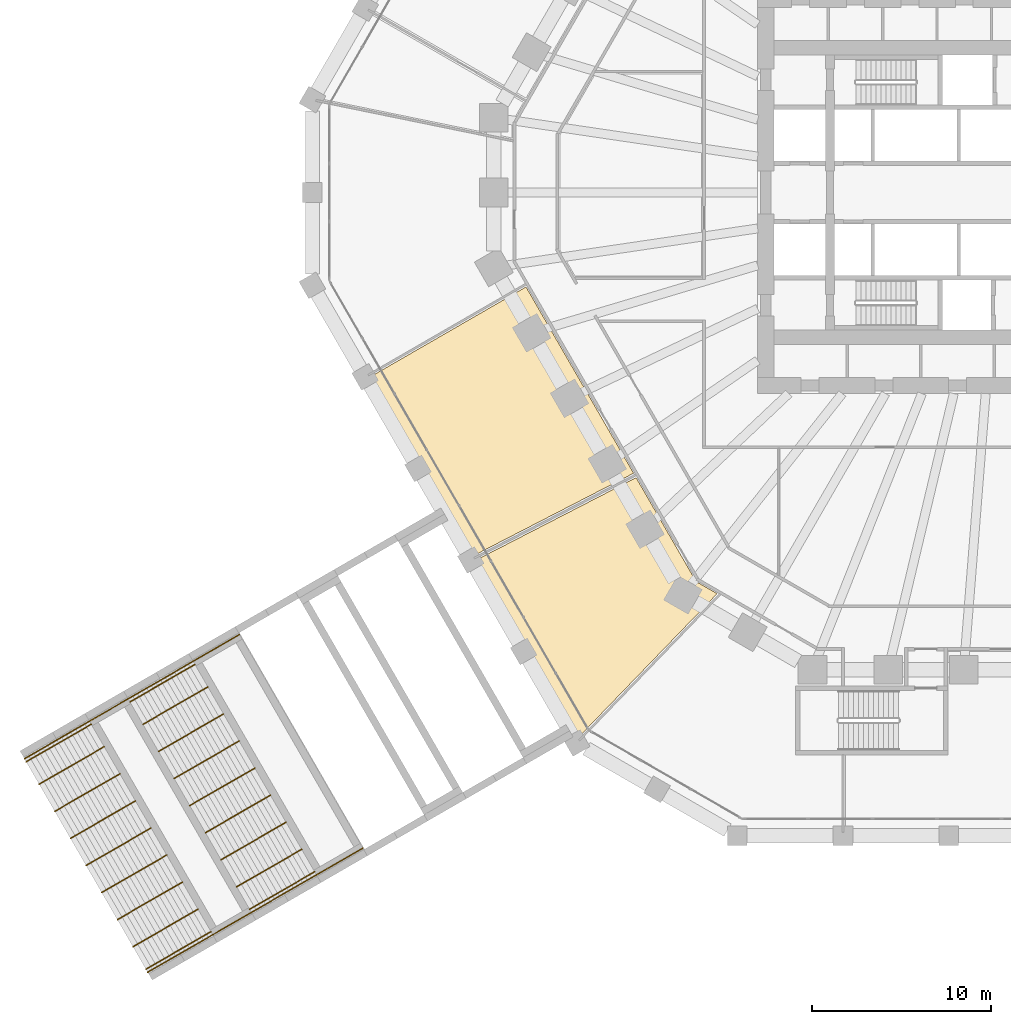
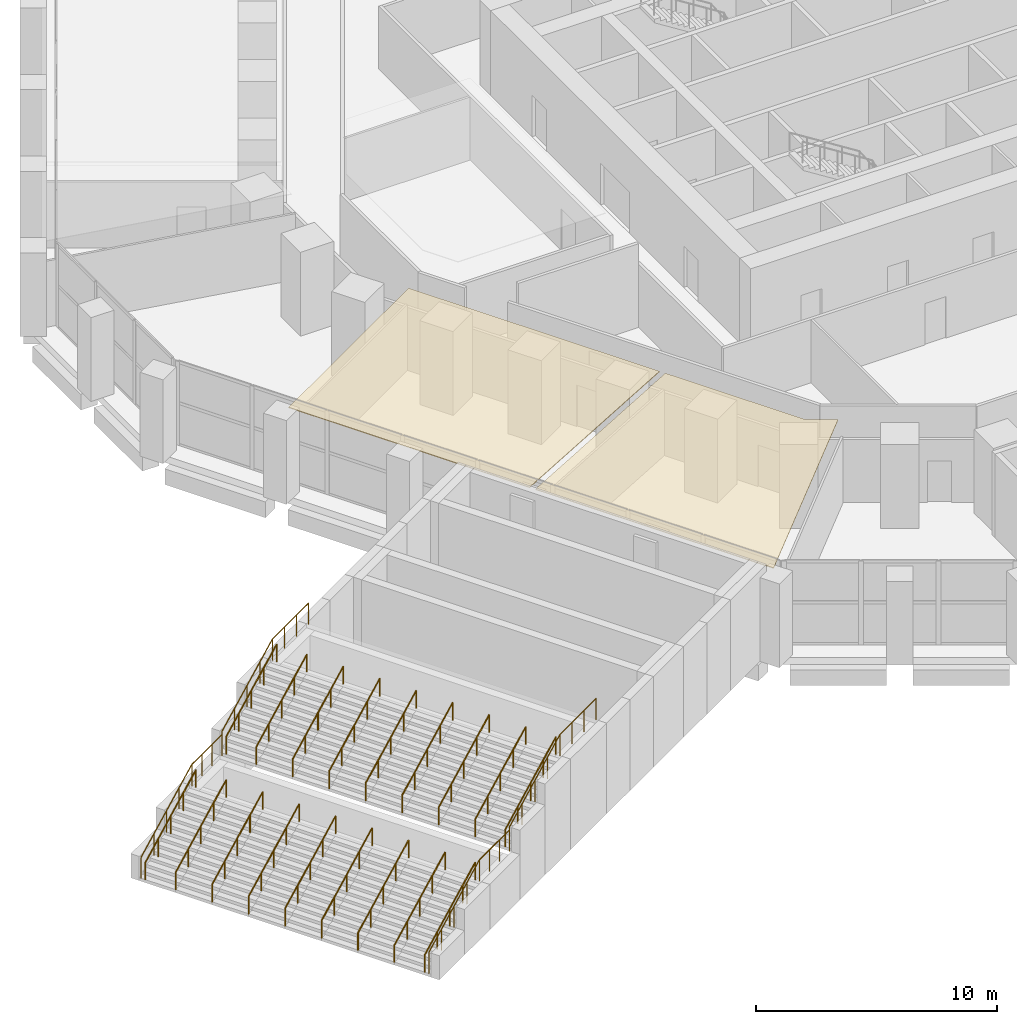
# One storey, part 32 of 38: 26 railings, 2 coverings.
"""IFC4 building model written with IfcOpenShell, lengths in metres."""

from ifc_helpers import new_model, si_unit, direction, frame, origin, origin_2d, place, context, subcontext, project, spatial, polyline, circle, outline, extrude, material, layer, layer_set, type_object, element, save


model = new_model("IFC4")

# Units and contexts
model_context = context("Model", 3, precision=1e-05, world=origin(), true_north=direction((0.0, 1.0)))
body_context = subcontext(model_context, "Body", "Model", "MODEL_VIEW")
ifc_project = project(units=[si_unit("LENGTHUNIT", "METRE"), si_unit("AREAUNIT", "SQUARE_METRE"), si_unit("VOLUMEUNIT", "CUBIC_METRE"), si_unit("PLANEANGLEUNIT", "RADIAN"), si_unit("MASSUNIT", "GRAM", prefix="KILO")], contexts=[model_context])

# Site, building, storey
site_placement = place(None, origin())
site = spatial("IfcSite", under=ifc_project, at=site_placement, CompositionType="ELEMENT")
building_placement = place(site_placement, origin())
building = spatial("IfcBuilding", under=site, at=building_placement, Name="Frailejon Research Tower", CompositionType="ELEMENT")
storey_placement = place(building_placement, frame((0.0, 0.0, 5.60009765625)))
storey = spatial("IfcBuildingStorey", under=building, at=storey_placement, Name="L01", CompositionType="ELEMENT", Elevation=5.60009765625)

# Railings
ifc_material_1 = material(Name="Galvanised steel balustrade", Category="steel")
railing_type_1 = type_object("IfcRailingType", Name="Broad stair guard 1100", PredefinedType="GUARDRAIL", material=ifc_material_1)
railing_1_placement = place(storey_placement, frame((-42.64501953125, -24.736572265625, 4.599853515625)))
element("IfcRailing", 1, at=railing_1_placement, inside=storey, type_object=railing_type_1, Name="Broad stair W2 landing guard", PredefinedType="GUARDRAIL", context=body_context, shape_type="SweptSolid", body=[
    extrude(circle(Radius=0.02392578125, at=origin_2d()), frame((0.0, 0.0, 1.076171875), z_axis=(-0.866031096941, -0.499990139034, 0.0), x_axis=(0.499990139034, -0.866031096941, 0.0)), (0.0, 0.0, 1.0), 3.0),
    extrude(circle(Radius=0.02099609375, at=origin_2d()), origin(), (0.0, 0.0, 1.0), 1.052001953125),
    extrude(circle(Radius=0.02099609375, at=origin_2d()), frame((-0.865966796875, -0.5, 0.0)), (0.0, 0.0, 1.0), 1.052001953125),
    extrude(circle(Radius=0.02099609375, at=origin_2d()), frame((-1.732177734375, -1.0, 0.0)), (0.0, 0.0, 1.0), 1.052001953125),
    extrude(circle(Radius=0.02099609375, at=origin_2d()), frame((-2.59814453125, -1.5, 0.0)), (0.0, 0.0, 1.0), 1.052001953125),
])
railing_2_placement = place(storey_placement, frame((-48.88037109375, -28.336669921875, 2.2998046875)))
element("IfcRailing", 2, at=railing_2_placement, inside=storey, type_object=railing_type_1, Name="Broad stair W2 landing guard", PredefinedType="GUARDRAIL", context=body_context, shape_type="SweptSolid", body=[
    extrude(circle(Radius=0.02392578125, at=origin_2d()), frame((0.0, 0.0, 1.076171875), z_axis=(-0.866022959057, -0.500004234368, 0.0), x_axis=(0.500004234368, -0.866022959057, 0.0)), (0.0, 0.0, 1.0), 2.5),
    extrude(circle(Radius=0.02099609375, at=origin_2d()), origin(), (0.0, 0.0, 1.0), 1.052001953125),
    extrude(circle(Radius=0.02099609375, at=origin_2d()), frame((-0.7216796875, -0.416748046875, 0.0)), (0.0, 0.0, 1.0), 1.052001953125),
    extrude(circle(Radius=0.02099609375, at=origin_2d()), frame((-1.443359375, -0.833251953125, 0.0)), (0.0, 0.0, 1.0), 1.052001953125),
    extrude(circle(Radius=0.02099609375, at=origin_2d()), frame((-2.1650390625, -1.25, 0.0)), (0.0, 0.0, 1.0), 1.052001953125),
])
railing_3_placement = place(storey_placement, frame((-35.7451171875, -36.687744140625, 4.599853515625)))
element("IfcRailing", 3, at=railing_3_placement, inside=storey, type_object=railing_type_1, Name="Broad stair W2 landing guard", PredefinedType="GUARDRAIL", context=body_context, shape_type="SweptSolid", body=[
    extrude(circle(Radius=0.02392578125, at=origin_2d()), frame((0.0, 0.0, 1.076171875), z_axis=(-0.866010750942, -0.50002537861, 0.0), x_axis=(0.50002537861, -0.866010750942, 0.0)), (0.0, 0.0, 1.0), 2.999755859375),
    extrude(circle(Radius=0.02099609375, at=origin_2d()), origin(), (0.0, 0.0, 1.0), 1.052001953125),
    extrude(circle(Radius=0.02099609375, at=origin_2d()), frame((-0.865966796875, -0.5, 0.0)), (0.0, 0.0, 1.0), 1.052001953125),
    extrude(circle(Radius=0.02099609375, at=origin_2d()), frame((-1.73193359375, -1.0, 0.0)), (0.0, 0.0, 1.0), 1.052001953125),
    extrude(circle(Radius=0.02099609375, at=origin_2d()), frame((-2.597900390625, -1.5, 0.0)), (0.0, 0.0, 1.0), 1.052001953125),
])
railing_4_placement = place(storey_placement, frame((-41.98046875, -40.287841796875, 2.2998046875)))
element("IfcRailing", 4, at=railing_4_placement, inside=storey, type_object=railing_type_1, Name="Broad stair W2 landing guard", PredefinedType="GUARDRAIL", context=body_context, shape_type="SweptSolid", body=[
    extrude(circle(Radius=0.02392578125, at=origin_2d()), frame((0.0, 0.0, 1.076171875), z_axis=(-0.866022959057, -0.500004234368, 0.0), x_axis=(0.500004234368, -0.866022959057, 0.0)), (0.0, 0.0, 1.0), 2.5),
    extrude(circle(Radius=0.02099609375, at=origin_2d()), origin(), (0.0, 0.0, 1.0), 1.052001953125),
    extrude(circle(Radius=0.02099609375, at=origin_2d()), frame((-0.7216796875, -0.416748046875, 0.0)), (0.0, 0.0, 1.0), 1.052001953125),
    extrude(circle(Radius=0.02099609375, at=origin_2d()), frame((-1.443359375, -0.833251953125, 0.0)), (0.0, 0.0, 1.0), 1.052001953125),
    extrude(circle(Radius=0.02099609375, at=origin_2d()), frame((-2.1650390625, -1.25, 0.0)), (0.0, 0.0, 1.0), 1.052001953125),
])
railing_5_placement = place(storey_placement, frame((-48.88037109375, -28.336669921875, 2.453125)))
element("IfcRailing", 5, at=railing_5_placement, inside=storey, type_object=railing_type_1, Name="Broad stair W2 flight guard", PredefinedType="GUARDRAIL", context=body_context, shape_type="SweptSolid", body=[
    extrude(circle(Radius=0.02392578125, at=origin_2d()), frame((0.0, 0.0, 1.076171875), z_axis=(0.771118779901, 0.445238538375, 0.455124676578), x_axis=(-0.500027713859, 0.866009402589, 0.0)), (0.0, 0.0, 1.0), 4.716796875),
    extrude(circle(Radius=0.02099609375, at=origin_2d()), origin(), (0.0, 0.0, 1.0), 1.052001953125),
    extrude(circle(Radius=0.02099609375, at=origin_2d()), frame((0.9091796875, 0.52490234375, 0.53662109375)), (0.0, 0.0, 1.0), 1.052001953125),
    extrude(circle(Radius=0.02099609375, at=origin_2d()), frame((1.818603515625, 1.050048828125, 1.0732421875)), (0.0, 0.0, 1.0), 1.052001953125),
    extrude(circle(Radius=0.02099609375, at=origin_2d()), frame((2.72802734375, 1.5751953125, 1.610107421875)), (0.0, 0.0, 1.0), 1.052001953125),
    extrude(circle(Radius=0.02099609375, at=origin_2d()), frame((3.63720703125, 2.10009765625, 2.146728515625)), (0.0, 0.0, 1.0), 1.052001953125),
])
railing_6_placement = place(storey_placement, frame((-54.682861328125, -31.6865234375, 0.1533203125)))
element("IfcRailing", 6, at=railing_6_placement, inside=storey, type_object=railing_type_1, Name="Broad stair W2 flight guard", PredefinedType="GUARDRAIL", context=body_context, shape_type="SweptSolid", body=[
    extrude(circle(Radius=0.02392578125, at=origin_2d()), frame((0.0, 0.0, 1.076171875), z_axis=(0.771175695621, 0.445189754885, 0.455075959185), x_axis=(-0.499958946799, 0.866049104564, 0.0)), (0.0, 0.0, 1.0), 4.716796875),
    extrude(circle(Radius=0.02099609375, at=origin_2d()), origin(), (0.0, 0.0, 1.0), 1.052001953125),
    extrude(circle(Radius=0.02099609375, at=origin_2d()), frame((0.909423828125, 0.52490234375, 0.53662109375)), (0.0, 0.0, 1.0), 1.052001953125),
    extrude(circle(Radius=0.02099609375, at=origin_2d()), frame((1.81884765625, 1.0498046875, 1.0732421875)), (0.0, 0.0, 1.0), 1.052001953125),
    extrude(circle(Radius=0.02099609375, at=origin_2d()), frame((2.72802734375, 1.574951171875, 1.60986328125)), (0.0, 0.0, 1.0), 1.052001953125),
    extrude(circle(Radius=0.02099609375, at=origin_2d()), frame((3.637451171875, 2.099853515625, 2.146484375)), (0.0, 0.0, 1.0), 1.052001953125),
])
railing_7_placement = place(storey_placement, frame((-41.98046875, -40.287841796875, 2.453125)))
element("IfcRailing", 7, at=railing_7_placement, inside=storey, type_object=railing_type_1, Name="Broad stair W2 flight guard", PredefinedType="GUARDRAIL", context=body_context, shape_type="SweptSolid", body=[
    extrude(circle(Radius=0.02392578125, at=origin_2d()), frame((0.0, 0.0, 1.076171875), z_axis=(0.771139760851, 0.445220768027, 0.455106511656), x_axis=(-0.500002543286, 0.866023935413, 0.0)), (0.0, 0.0, 1.0), 4.717041015625),
    extrude(circle(Radius=0.02099609375, at=origin_2d()), origin(), (0.0, 0.0, 1.0), 1.052001953125),
    extrude(circle(Radius=0.02099609375, at=origin_2d()), frame((0.909423828125, 0.52490234375, 0.53662109375)), (0.0, 0.0, 1.0), 1.052001953125),
    extrude(circle(Radius=0.02099609375, at=origin_2d()), frame((1.81884765625, 1.050048828125, 1.0732421875)), (0.0, 0.0, 1.0), 1.052001953125),
    extrude(circle(Radius=0.02099609375, at=origin_2d()), frame((2.72802734375, 1.5751953125, 1.610107421875)), (0.0, 0.0, 1.0), 1.052001953125),
    extrude(circle(Radius=0.02099609375, at=origin_2d()), frame((3.637451171875, 2.10009765625, 2.146728515625)), (0.0, 0.0, 1.0), 1.052001953125),
])
railing_8_placement = place(storey_placement, frame((-47.78271484375, -43.6376953125, 0.1533203125)))
element("IfcRailing", 8, at=railing_8_placement, inside=storey, type_object=railing_type_1, Name="Broad stair W2 flight guard", PredefinedType="GUARDRAIL", context=body_context, shape_type="SweptSolid", body=[
    extrude(circle(Radius=0.02392578125, at=origin_2d()), frame((0.0, 0.0, 1.076171875), z_axis=(0.771154716562, 0.445207525651, 0.455094124581), x_axis=(-0.49998411664, 0.866034573852, 0.0)), (0.0, 0.0, 1.0), 4.716552734375),
    extrude(circle(Radius=0.02099609375, at=origin_2d()), origin(), (0.0, 0.0, 1.0), 1.052001953125),
    extrude(circle(Radius=0.02099609375, at=origin_2d()), frame((0.9091796875, 0.52490234375, 0.53662109375)), (0.0, 0.0, 1.0), 1.052001953125),
    extrude(circle(Radius=0.02099609375, at=origin_2d()), frame((1.818603515625, 1.0498046875, 1.0732421875)), (0.0, 0.0, 1.0), 1.052001953125),
    extrude(circle(Radius=0.02099609375, at=origin_2d()), frame((2.72802734375, 1.574951171875, 1.60986328125)), (0.0, 0.0, 1.0), 1.052001953125),
    extrude(circle(Radius=0.02099609375, at=origin_2d()), frame((3.63720703125, 2.099853515625, 2.146484375)), (0.0, 0.0, 1.0), 1.052001953125),
])
ifc_material_2 = material(Name="Stainless steel handrail", Category="steel")
railing_type_2 = type_object("IfcRailingType", Name="Broad stair handrail", PredefinedType="HANDRAIL", material=ifc_material_2)
railing_9_placement = place(storey_placement, frame((-48.780517578125, -28.509765625, 2.453125)))
element("IfcRailing", 9, at=railing_9_placement, inside=storey, type_object=railing_type_2, Name="Broad stair W2 flight handrail", PredefinedType="HANDRAIL", context=body_context, shape_type="SweptSolid", body=[
    extrude(circle(Radius=0.02392578125, at=origin_2d()), frame((0.0, 0.0, 0.8759765625), z_axis=(0.771157530312, 0.445179268287, 0.455116998727), x_axis=(-0.499958946799, 0.866049104564, 0.0)), (0.0, 0.0, 1.0), 4.716796875),
    extrude(circle(Radius=0.02099609375, at=origin_2d()), origin(), (0.0, 0.0, 1.0), 0.851806640625),
    extrude(circle(Radius=0.02099609375, at=origin_2d()), frame((0.909423828125, 0.52490234375, 0.53662109375)), (0.0, 0.0, 1.0), 0.851806640625),
    extrude(circle(Radius=0.02099609375, at=origin_2d()), frame((1.81884765625, 1.0498046875, 1.0732421875)), (0.0, 0.0, 1.0), 0.851806640625),
    extrude(circle(Radius=0.02099609375, at=origin_2d()), frame((2.72802734375, 1.574951171875, 1.610107421875)), (0.0, 0.0, 1.0), 0.851806640625),
    extrude(circle(Radius=0.02099609375, at=origin_2d()), frame((3.637451171875, 2.099853515625, 2.146728515625)), (0.0, 0.0, 1.0), 0.851806640625),
])
railing_10_placement = place(storey_placement, frame((-54.582763671875, -31.85986328125, 0.1533203125)))
element("IfcRailing", 10, at=railing_10_placement, inside=storey, type_object=railing_type_2, Name="Broad stair W2 flight handrail", PredefinedType="HANDRAIL", context=body_context, shape_type="SweptSolid", body=[
    extrude(circle(Radius=0.02392578125, at=origin_2d()), frame((0.0, 0.0, 0.8759765625), z_axis=(0.77113694491, 0.445249026723, 0.455083636706), x_axis=(-0.500027713859, 0.866009402589, 0.0)), (0.0, 0.0, 1.0), 4.716796875),
    extrude(circle(Radius=0.02099609375, at=origin_2d()), origin(), (0.0, 0.0, 1.0), 0.851806640625),
    extrude(circle(Radius=0.02099609375, at=origin_2d()), frame((0.9091796875, 0.52490234375, 0.53662109375)), (0.0, 0.0, 1.0), 0.851806640625),
    extrude(circle(Radius=0.02099609375, at=origin_2d()), frame((1.818603515625, 1.050048828125, 1.0732421875)), (0.0, 0.0, 1.0), 0.851806640625),
    extrude(circle(Radius=0.02099609375, at=origin_2d()), frame((2.72802734375, 1.5751953125, 1.60986328125)), (0.0, 0.0, 1.0), 0.851806640625),
    extrude(circle(Radius=0.02099609375, at=origin_2d()), frame((3.63720703125, 2.10009765625, 2.146484375)), (0.0, 0.0, 1.0), 0.851806640625),
])
railing_11_placement = place(storey_placement, frame((-48.055419921875, -29.765380859375, 2.453125)))
element("IfcRailing", 11, at=railing_11_placement, inside=storey, type_object=railing_type_2, Name="Broad stair W2 flight handrail", PredefinedType="HANDRAIL", context=body_context, shape_type="SweptSolid", body=[
    extrude(circle(Radius=0.02392578125, at=origin_2d()), frame((0.0, 0.0, 0.8759765625), z_axis=(0.771136550297, 0.445197037797, 0.455135164905), x_axis=(-0.49998411664, 0.866034573852, 0.0)), (0.0, 0.0, 1.0), 4.716796875),
    extrude(circle(Radius=0.02099609375, at=origin_2d()), origin(), (0.0, 0.0, 1.0), 0.851806640625),
    extrude(circle(Radius=0.02099609375, at=origin_2d()), frame((0.9091796875, 0.52490234375, 0.53662109375)), (0.0, 0.0, 1.0), 0.851806640625),
    extrude(circle(Radius=0.02099609375, at=origin_2d()), frame((1.818603515625, 1.0498046875, 1.0732421875)), (0.0, 0.0, 1.0), 0.851806640625),
    extrude(circle(Radius=0.02099609375, at=origin_2d()), frame((2.72802734375, 1.574951171875, 1.610107421875)), (0.0, 0.0, 1.0), 0.851806640625),
    extrude(circle(Radius=0.02099609375, at=origin_2d()), frame((3.63720703125, 2.099853515625, 2.146728515625)), (0.0, 0.0, 1.0), 0.851806640625),
])
railing_12_placement = place(storey_placement, frame((-53.85791015625, -33.115478515625, 0.1533203125)))
element("IfcRailing", 12, at=railing_12_placement, inside=storey, type_object=railing_type_2, Name="Broad stair W2 flight handrail", PredefinedType="HANDRAIL", context=body_context, shape_type="SweptSolid", body=[
    extrude(circle(Radius=0.02392578125, at=origin_2d()), frame((0.0, 0.0, 0.8759765625), z_axis=(0.771157924904, 0.44523125512, 0.455065472566), x_axis=(-0.500002543286, 0.866023935413, 0.0)), (0.0, 0.0, 1.0), 4.716796875),
    extrude(circle(Radius=0.02099609375, at=origin_2d()), origin(), (0.0, 0.0, 1.0), 0.851806640625),
    extrude(circle(Radius=0.02099609375, at=origin_2d()), frame((0.909423828125, 0.52490234375, 0.53662109375)), (0.0, 0.0, 1.0), 0.851806640625),
    extrude(circle(Radius=0.02099609375, at=origin_2d()), frame((1.81884765625, 1.050048828125, 1.0732421875)), (0.0, 0.0, 1.0), 0.851806640625),
    extrude(circle(Radius=0.02099609375, at=origin_2d()), frame((2.72802734375, 1.5751953125, 1.60986328125)), (0.0, 0.0, 1.0), 0.851806640625),
    extrude(circle(Radius=0.02099609375, at=origin_2d()), frame((3.637451171875, 2.10009765625, 2.146484375)), (0.0, 0.0, 1.0), 0.851806640625),
])
railing_13_placement = place(storey_placement, frame((-47.180419921875, -31.281005859375, 2.453125)))
element("IfcRailing", 13, at=railing_13_placement, inside=storey, type_object=railing_type_2, Name="Broad stair W2 flight handrail", PredefinedType="HANDRAIL", context=body_context, shape_type="SweptSolid", body=[
    extrude(circle(Radius=0.02392578125, at=origin_2d()), frame((0.0, 0.0, 0.8759765625), z_axis=(0.771136550297, 0.445197037797, 0.455135164905), x_axis=(-0.49998411664, 0.866034573852, 0.0)), (0.0, 0.0, 1.0), 4.716796875),
    extrude(circle(Radius=0.02099609375, at=origin_2d()), origin(), (0.0, 0.0, 1.0), 0.851806640625),
    extrude(circle(Radius=0.02099609375, at=origin_2d()), frame((0.9091796875, 0.52490234375, 0.53662109375)), (0.0, 0.0, 1.0), 0.851806640625),
    extrude(circle(Radius=0.02099609375, at=origin_2d()), frame((1.818603515625, 1.0498046875, 1.0732421875)), (0.0, 0.0, 1.0), 0.851806640625),
    extrude(circle(Radius=0.02099609375, at=origin_2d()), frame((2.72802734375, 1.574951171875, 1.610107421875)), (0.0, 0.0, 1.0), 0.851806640625),
    extrude(circle(Radius=0.02099609375, at=origin_2d()), frame((3.63720703125, 2.099853515625, 2.146728515625)), (0.0, 0.0, 1.0), 0.851806640625),
])
railing_14_placement = place(storey_placement, frame((-52.98291015625, -34.631103515625, 0.1533203125)))
element("IfcRailing", 14, at=railing_14_placement, inside=storey, type_object=railing_type_2, Name="Broad stair W2 flight handrail", PredefinedType="HANDRAIL", context=body_context, shape_type="SweptSolid", body=[
    extrude(circle(Radius=0.02392578125, at=origin_2d()), frame((0.0, 0.0, 0.8759765625), z_axis=(0.771157924904, 0.44523125512, 0.455065472566), x_axis=(-0.500002543286, 0.866023935413, 0.0)), (0.0, 0.0, 1.0), 4.716796875),
    extrude(circle(Radius=0.02099609375, at=origin_2d()), origin(), (0.0, 0.0, 1.0), 0.851806640625),
    extrude(circle(Radius=0.02099609375, at=origin_2d()), frame((0.909423828125, 0.52490234375, 0.53662109375)), (0.0, 0.0, 1.0), 0.851806640625),
    extrude(circle(Radius=0.02099609375, at=origin_2d()), frame((1.81884765625, 1.050048828125, 1.0732421875)), (0.0, 0.0, 1.0), 0.851806640625),
    extrude(circle(Radius=0.02099609375, at=origin_2d()), frame((2.72802734375, 1.5751953125, 1.60986328125)), (0.0, 0.0, 1.0), 0.851806640625),
    extrude(circle(Radius=0.02099609375, at=origin_2d()), frame((3.637451171875, 2.10009765625, 2.146484375)), (0.0, 0.0, 1.0), 0.851806640625),
])
railing_15_placement = place(storey_placement, frame((-46.305419921875, -32.796630859375, 2.453125)))
element("IfcRailing", 15, at=railing_15_placement, inside=storey, type_object=railing_type_2, Name="Broad stair W2 flight handrail", PredefinedType="HANDRAIL", context=body_context, shape_type="SweptSolid", body=[
    extrude(circle(Radius=0.02392578125, at=origin_2d()), frame((0.0, 0.0, 0.8759765625), z_axis=(0.771118779901, 0.445238538375, 0.455124676578), x_axis=(-0.500027713859, 0.866009402589, 0.0)), (0.0, 0.0, 1.0), 4.716796875),
    extrude(circle(Radius=0.02099609375, at=origin_2d()), origin(), (0.0, 0.0, 1.0), 0.851806640625),
    extrude(circle(Radius=0.02099609375, at=origin_2d()), frame((0.9091796875, 0.52490234375, 0.53662109375)), (0.0, 0.0, 1.0), 0.851806640625),
    extrude(circle(Radius=0.02099609375, at=origin_2d()), frame((1.818603515625, 1.050048828125, 1.0732421875)), (0.0, 0.0, 1.0), 0.851806640625),
    extrude(circle(Radius=0.02099609375, at=origin_2d()), frame((2.72802734375, 1.5751953125, 1.610107421875)), (0.0, 0.0, 1.0), 0.851806640625),
    extrude(circle(Radius=0.02099609375, at=origin_2d()), frame((3.63720703125, 2.10009765625, 2.146728515625)), (0.0, 0.0, 1.0), 0.851806640625),
])
railing_16_placement = place(storey_placement, frame((-52.10791015625, -36.146484375, 0.1533203125)))
element("IfcRailing", 16, at=railing_16_placement, inside=storey, type_object=railing_type_2, Name="Broad stair W2 flight handrail", PredefinedType="HANDRAIL", context=body_context, shape_type="SweptSolid", body=[
    extrude(circle(Radius=0.02392578125, at=origin_2d()), frame((0.0, 0.0, 0.8759765625), z_axis=(0.771175695621, 0.445189754885, 0.455075959185), x_axis=(-0.499958946799, 0.866049104564, 0.0)), (0.0, 0.0, 1.0), 4.716796875),
    extrude(circle(Radius=0.02099609375, at=origin_2d()), origin(), (0.0, 0.0, 1.0), 0.851806640625),
    extrude(circle(Radius=0.02099609375, at=origin_2d()), frame((0.909423828125, 0.52490234375, 0.53662109375)), (0.0, 0.0, 1.0), 0.851806640625),
    extrude(circle(Radius=0.02099609375, at=origin_2d()), frame((1.81884765625, 1.0498046875, 1.0732421875)), (0.0, 0.0, 1.0), 0.851806640625),
    extrude(circle(Radius=0.02099609375, at=origin_2d()), frame((2.72802734375, 1.574951171875, 1.60986328125)), (0.0, 0.0, 1.0), 0.851806640625),
    extrude(circle(Radius=0.02099609375, at=origin_2d()), frame((3.637451171875, 2.099853515625, 2.146484375)), (0.0, 0.0, 1.0), 0.851806640625),
])
railing_17_placement = place(storey_placement, frame((-45.430419921875, -34.312255859375, 2.453125)))
element("IfcRailing", 17, at=railing_17_placement, inside=storey, type_object=railing_type_2, Name="Broad stair W2 flight handrail", PredefinedType="HANDRAIL", context=body_context, shape_type="SweptSolid", body=[
    extrude(circle(Radius=0.02392578125, at=origin_2d()), frame((0.0, 0.0, 0.8759765625), z_axis=(0.771118779901, 0.445238538375, 0.455124676578), x_axis=(-0.500027713859, 0.866009402589, 0.0)), (0.0, 0.0, 1.0), 4.716796875),
    extrude(circle(Radius=0.02099609375, at=origin_2d()), origin(), (0.0, 0.0, 1.0), 0.851806640625),
    extrude(circle(Radius=0.02099609375, at=origin_2d()), frame((0.9091796875, 0.52490234375, 0.53662109375)), (0.0, 0.0, 1.0), 0.851806640625),
    extrude(circle(Radius=0.02099609375, at=origin_2d()), frame((1.818603515625, 1.050048828125, 1.0732421875)), (0.0, 0.0, 1.0), 0.851806640625),
    extrude(circle(Radius=0.02099609375, at=origin_2d()), frame((2.72802734375, 1.5751953125, 1.610107421875)), (0.0, 0.0, 1.0), 0.851806640625),
    extrude(circle(Radius=0.02099609375, at=origin_2d()), frame((3.63720703125, 2.10009765625, 2.146728515625)), (0.0, 0.0, 1.0), 0.851806640625),
])
railing_18_placement = place(storey_placement, frame((-51.23291015625, -37.662109375, 0.1533203125)))
element("IfcRailing", 18, at=railing_18_placement, inside=storey, type_object=railing_type_2, Name="Broad stair W2 flight handrail", PredefinedType="HANDRAIL", context=body_context, shape_type="SweptSolid", body=[
    extrude(circle(Radius=0.02392578125, at=origin_2d()), frame((0.0, 0.0, 0.8759765625), z_axis=(0.771175695621, 0.445189754885, 0.455075959185), x_axis=(-0.499958946799, 0.866049104564, 0.0)), (0.0, 0.0, 1.0), 4.716796875),
    extrude(circle(Radius=0.02099609375, at=origin_2d()), origin(), (0.0, 0.0, 1.0), 0.851806640625),
    extrude(circle(Radius=0.02099609375, at=origin_2d()), frame((0.909423828125, 0.52490234375, 0.53662109375)), (0.0, 0.0, 1.0), 0.851806640625),
    extrude(circle(Radius=0.02099609375, at=origin_2d()), frame((1.81884765625, 1.0498046875, 1.0732421875)), (0.0, 0.0, 1.0), 0.851806640625),
    extrude(circle(Radius=0.02099609375, at=origin_2d()), frame((2.72802734375, 1.574951171875, 1.60986328125)), (0.0, 0.0, 1.0), 0.851806640625),
    extrude(circle(Radius=0.02099609375, at=origin_2d()), frame((3.637451171875, 2.099853515625, 2.146484375)), (0.0, 0.0, 1.0), 0.851806640625),
])
railing_19_placement = place(storey_placement, frame((-44.555419921875, -35.82763671875, 2.453125)))
element("IfcRailing", 19, at=railing_19_placement, inside=storey, type_object=railing_type_2, Name="Broad stair W2 flight handrail", PredefinedType="HANDRAIL", context=body_context, shape_type="SweptSolid", body=[
    extrude(circle(Radius=0.02392578125, at=origin_2d()), frame((0.0, 0.0, 0.8759765625), z_axis=(0.771136550297, 0.445197037797, 0.455135164905), x_axis=(-0.49998411664, 0.866034573852, 0.0)), (0.0, 0.0, 1.0), 4.716796875),
    extrude(circle(Radius=0.02099609375, at=origin_2d()), origin(), (0.0, 0.0, 1.0), 0.851806640625),
    extrude(circle(Radius=0.02099609375, at=origin_2d()), frame((0.9091796875, 0.52490234375, 0.53662109375)), (0.0, 0.0, 1.0), 0.851806640625),
    extrude(circle(Radius=0.02099609375, at=origin_2d()), frame((1.818603515625, 1.0498046875, 1.0732421875)), (0.0, 0.0, 1.0), 0.851806640625),
    extrude(circle(Radius=0.02099609375, at=origin_2d()), frame((2.72802734375, 1.574951171875, 1.610107421875)), (0.0, 0.0, 1.0), 0.851806640625),
    extrude(circle(Radius=0.02099609375, at=origin_2d()), frame((3.63720703125, 2.099853515625, 2.146728515625)), (0.0, 0.0, 1.0), 0.851806640625),
])
railing_20_placement = place(storey_placement, frame((-50.35791015625, -39.177734375, 0.1533203125)))
element("IfcRailing", 20, at=railing_20_placement, inside=storey, type_object=railing_type_2, Name="Broad stair W2 flight handrail", PredefinedType="HANDRAIL", context=body_context, shape_type="SweptSolid", body=[
    extrude(circle(Radius=0.02392578125, at=origin_2d()), frame((0.0, 0.0, 0.8759765625), z_axis=(0.771157924904, 0.44523125512, 0.455065472566), x_axis=(-0.500002543286, 0.866023935413, 0.0)), (0.0, 0.0, 1.0), 4.716796875),
    extrude(circle(Radius=0.02099609375, at=origin_2d()), origin(), (0.0, 0.0, 1.0), 0.851806640625),
    extrude(circle(Radius=0.02099609375, at=origin_2d()), frame((0.909423828125, 0.52490234375, 0.53662109375)), (0.0, 0.0, 1.0), 0.851806640625),
    extrude(circle(Radius=0.02099609375, at=origin_2d()), frame((1.81884765625, 1.050048828125, 1.0732421875)), (0.0, 0.0, 1.0), 0.851806640625),
    extrude(circle(Radius=0.02099609375, at=origin_2d()), frame((2.72802734375, 1.5751953125, 1.60986328125)), (0.0, 0.0, 1.0), 0.851806640625),
    extrude(circle(Radius=0.02099609375, at=origin_2d()), frame((3.637451171875, 2.10009765625, 2.146484375)), (0.0, 0.0, 1.0), 0.851806640625),
])
railing_21_placement = place(storey_placement, frame((-43.680419921875, -37.34326171875, 2.453125)))
element("IfcRailing", 21, at=railing_21_placement, inside=storey, type_object=railing_type_2, Name="Broad stair W2 flight handrail", PredefinedType="HANDRAIL", context=body_context, shape_type="SweptSolid", body=[
    extrude(circle(Radius=0.02392578125, at=origin_2d()), frame((0.0, 0.0, 0.8759765625), z_axis=(0.771136550297, 0.445197037797, 0.455135164905), x_axis=(-0.49998411664, 0.866034573852, 0.0)), (0.0, 0.0, 1.0), 4.716796875),
    extrude(circle(Radius=0.02099609375, at=origin_2d()), origin(), (0.0, 0.0, 1.0), 0.851806640625),
    extrude(circle(Radius=0.02099609375, at=origin_2d()), frame((0.9091796875, 0.52490234375, 0.53662109375)), (0.0, 0.0, 1.0), 0.851806640625),
    extrude(circle(Radius=0.02099609375, at=origin_2d()), frame((1.818603515625, 1.0498046875, 1.0732421875)), (0.0, 0.0, 1.0), 0.851806640625),
    extrude(circle(Radius=0.02099609375, at=origin_2d()), frame((2.72802734375, 1.574951171875, 1.610107421875)), (0.0, 0.0, 1.0), 0.851806640625),
    extrude(circle(Radius=0.02099609375, at=origin_2d()), frame((3.63720703125, 2.099853515625, 2.146728515625)), (0.0, 0.0, 1.0), 0.851806640625),
])
railing_22_placement = place(storey_placement, frame((-49.48291015625, -40.693359375, 0.1533203125)))
element("IfcRailing", 22, at=railing_22_placement, inside=storey, type_object=railing_type_2, Name="Broad stair W2 flight handrail", PredefinedType="HANDRAIL", context=body_context, shape_type="SweptSolid", body=[
    extrude(circle(Radius=0.02392578125, at=origin_2d()), frame((0.0, 0.0, 0.8759765625), z_axis=(0.771157924904, 0.44523125512, 0.455065472566), x_axis=(-0.500002543286, 0.866023935413, 0.0)), (0.0, 0.0, 1.0), 4.716796875),
    extrude(circle(Radius=0.02099609375, at=origin_2d()), origin(), (0.0, 0.0, 1.0), 0.851806640625),
    extrude(circle(Radius=0.02099609375, at=origin_2d()), frame((0.909423828125, 0.52490234375, 0.53662109375)), (0.0, 0.0, 1.0), 0.851806640625),
    extrude(circle(Radius=0.02099609375, at=origin_2d()), frame((1.81884765625, 1.050048828125, 1.0732421875)), (0.0, 0.0, 1.0), 0.851806640625),
    extrude(circle(Radius=0.02099609375, at=origin_2d()), frame((2.72802734375, 1.5751953125, 1.60986328125)), (0.0, 0.0, 1.0), 0.851806640625),
    extrude(circle(Radius=0.02099609375, at=origin_2d()), frame((3.637451171875, 2.10009765625, 2.146484375)), (0.0, 0.0, 1.0), 0.851806640625),
])
railing_23_placement = place(storey_placement, frame((-42.805419921875, -38.85888671875, 2.453125)))
element("IfcRailing", 23, at=railing_23_placement, inside=storey, type_object=railing_type_2, Name="Broad stair W2 flight handrail", PredefinedType="HANDRAIL", context=body_context, shape_type="SweptSolid", body=[
    extrude(circle(Radius=0.02392578125, at=origin_2d()), frame((0.0, 0.0, 0.8759765625), z_axis=(0.771118779901, 0.445238538375, 0.455124676578), x_axis=(-0.500027713859, 0.866009402589, 0.0)), (0.0, 0.0, 1.0), 4.716796875),
    extrude(circle(Radius=0.02099609375, at=origin_2d()), origin(), (0.0, 0.0, 1.0), 0.851806640625),
    extrude(circle(Radius=0.02099609375, at=origin_2d()), frame((0.9091796875, 0.52490234375, 0.53662109375)), (0.0, 0.0, 1.0), 0.851806640625),
    extrude(circle(Radius=0.02099609375, at=origin_2d()), frame((1.818603515625, 1.050048828125, 1.0732421875)), (0.0, 0.0, 1.0), 0.851806640625),
    extrude(circle(Radius=0.02099609375, at=origin_2d()), frame((2.72802734375, 1.5751953125, 1.610107421875)), (0.0, 0.0, 1.0), 0.851806640625),
    extrude(circle(Radius=0.02099609375, at=origin_2d()), frame((3.63720703125, 2.10009765625, 2.146728515625)), (0.0, 0.0, 1.0), 0.851806640625),
])
railing_24_placement = place(storey_placement, frame((-48.60791015625, -42.208740234375, 0.1533203125)))
element("IfcRailing", 24, at=railing_24_placement, inside=storey, type_object=railing_type_2, Name="Broad stair W2 flight handrail", PredefinedType="HANDRAIL", context=body_context, shape_type="SweptSolid", body=[
    extrude(circle(Radius=0.02392578125, at=origin_2d()), frame((0.0, 0.0, 0.8759765625), z_axis=(0.771175695621, 0.445189754885, 0.455075959185), x_axis=(-0.499958946799, 0.866049104564, 0.0)), (0.0, 0.0, 1.0), 4.716796875),
    extrude(circle(Radius=0.02099609375, at=origin_2d()), origin(), (0.0, 0.0, 1.0), 0.851806640625),
    extrude(circle(Radius=0.02099609375, at=origin_2d()), frame((0.909423828125, 0.52490234375, 0.53662109375)), (0.0, 0.0, 1.0), 0.851806640625),
    extrude(circle(Radius=0.02099609375, at=origin_2d()), frame((1.81884765625, 1.0498046875, 1.0732421875)), (0.0, 0.0, 1.0), 0.851806640625),
    extrude(circle(Radius=0.02099609375, at=origin_2d()), frame((2.72802734375, 1.574951171875, 1.60986328125)), (0.0, 0.0, 1.0), 0.851806640625),
    extrude(circle(Radius=0.02099609375, at=origin_2d()), frame((3.637451171875, 2.099853515625, 2.146484375)), (0.0, 0.0, 1.0), 0.851806640625),
])
railing_25_placement = place(storey_placement, frame((-42.080322265625, -40.114501953125, 2.453125)))
element("IfcRailing", 25, at=railing_25_placement, inside=storey, type_object=railing_type_2, Name="Broad stair W2 flight handrail", PredefinedType="HANDRAIL", context=body_context, shape_type="SweptSolid", body=[
    extrude(circle(Radius=0.02392578125, at=origin_2d()), frame((0.0, 0.0, 0.8759765625), z_axis=(0.771118779901, 0.445238538375, 0.455124676578), x_axis=(-0.500027713859, 0.866009402589, 0.0)), (0.0, 0.0, 1.0), 4.716796875),
    extrude(circle(Radius=0.02099609375, at=origin_2d()), origin(), (0.0, 0.0, 1.0), 0.851806640625),
    extrude(circle(Radius=0.02099609375, at=origin_2d()), frame((0.9091796875, 0.52490234375, 0.53662109375)), (0.0, 0.0, 1.0), 0.851806640625),
    extrude(circle(Radius=0.02099609375, at=origin_2d()), frame((1.818603515625, 1.050048828125, 1.0732421875)), (0.0, 0.0, 1.0), 0.851806640625),
    extrude(circle(Radius=0.02099609375, at=origin_2d()), frame((2.72802734375, 1.5751953125, 1.610107421875)), (0.0, 0.0, 1.0), 0.851806640625),
    extrude(circle(Radius=0.02099609375, at=origin_2d()), frame((3.63720703125, 2.10009765625, 2.146728515625)), (0.0, 0.0, 1.0), 0.851806640625),
])
railing_26_placement = place(storey_placement, frame((-47.8828125, -43.464599609375, 0.1533203125)))
element("IfcRailing", 26, at=railing_26_placement, inside=storey, type_object=railing_type_2, Name="Broad stair W2 flight handrail", PredefinedType="HANDRAIL", context=body_context, shape_type="SweptSolid", body=[
    extrude(circle(Radius=0.02392578125, at=origin_2d()), frame((0.0, 0.0, 0.8759765625), z_axis=(0.77113694491, 0.445249026723, 0.455083636706), x_axis=(-0.500027713859, 0.866009402589, 0.0)), (0.0, 0.0, 1.0), 4.716796875),
    extrude(circle(Radius=0.02099609375, at=origin_2d()), origin(), (0.0, 0.0, 1.0), 0.851806640625),
    extrude(circle(Radius=0.02099609375, at=origin_2d()), frame((0.9091796875, 0.52490234375, 0.53662109375)), (0.0, 0.0, 1.0), 0.851806640625),
    extrude(circle(Radius=0.02099609375, at=origin_2d()), frame((1.818603515625, 1.050048828125, 1.0732421875)), (0.0, 0.0, 1.0), 0.851806640625),
    extrude(circle(Radius=0.02099609375, at=origin_2d()), frame((2.72802734375, 1.5751953125, 1.60986328125)), (0.0, 0.0, 1.0), 0.851806640625),
    extrude(circle(Radius=0.02099609375, at=origin_2d()), frame((3.63720703125, 2.10009765625, 2.146484375)), (0.0, 0.0, 1.0), 0.851806640625),
])

# Coverings
ifc_material_3 = material(Name="Mineral fibre ceiling board")
ifc_layer = layer(ifc_material_3, 0.0400390625)
ifc_layer_set = layer_set([ifc_layer], Name="Suspended ceiling 40")
covering_type = type_object("IfcCoveringType", Name="Suspended ceiling 40", PredefinedType="CEILING", material=ifc_layer_set)
covering_1_placement = place(storey_placement, frame((0.0, 0.0, 4.2099609375)))
element("IfcCovering", 27, at=covering_1_placement, inside=storey, type_object=covering_type, Name="Ceiling Conference foyer L01-021", PredefinedType="CEILING", context=body_context, shape_type="SweptSolid", body=[
    extrude(outline(polyline([(-20.593017578125, -15.711669921875), (-26.613525390625, -5.283935546875), (-35.247802734375, -10.268798828125), (-29.4658203125, -20.283447265625), (-20.593017578125, -15.711669921875)])), origin(), (0.0, 0.0, 1.0), 0.0400390625),
])
covering_2_placement = place(storey_placement, frame((0.0, 0.0, 4.2099609375)))
element("IfcCovering", 28, at=covering_2_placement, inside=storey, type_object=covering_type, Name="Ceiling Seminar room L01-023", PredefinedType="CEILING", context=body_context, shape_type="SweptSolid", body=[
    extrude(outline(polyline([(-15.917236328125, -22.4521484375), (-17.093505859375, -21.773193359375), (-20.452880859375, -15.954345703125), (-29.32568359375, -20.526123046875), (-23.61181640625, -30.423095703125), (-15.917236328125, -22.4521484375)])), origin(), (0.0, 0.0, 1.0), 0.0400390625),
])

save(model, "model.ifc")
